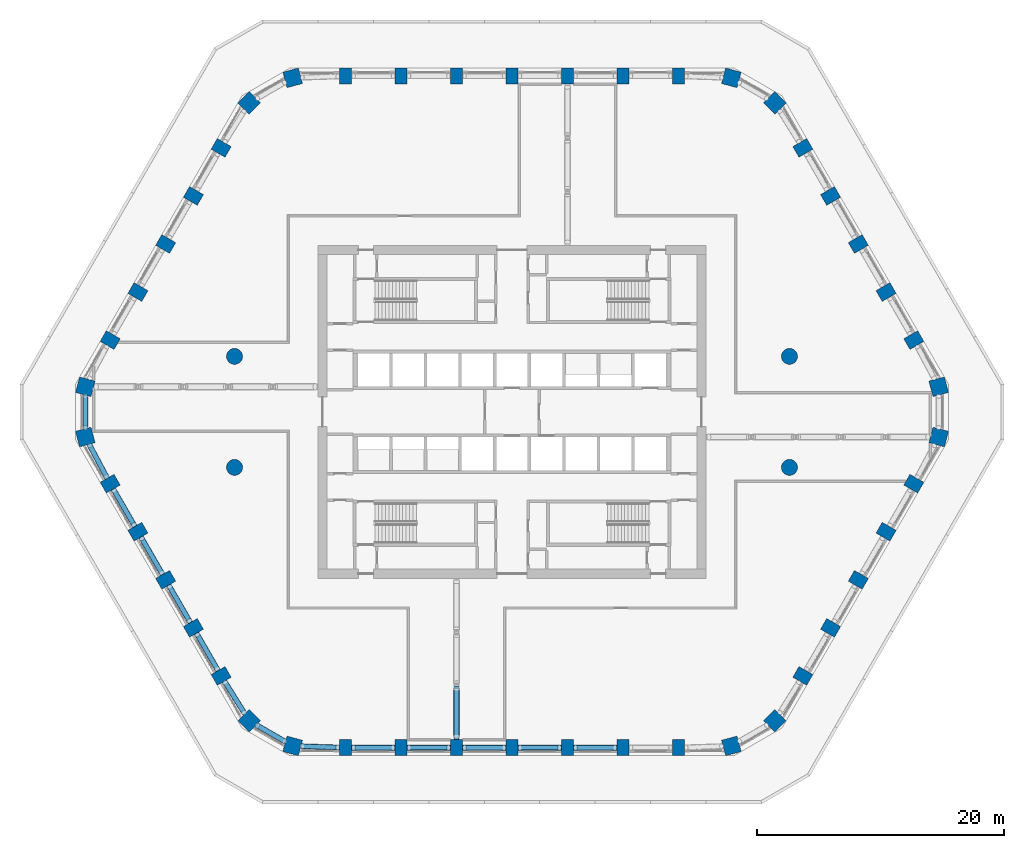
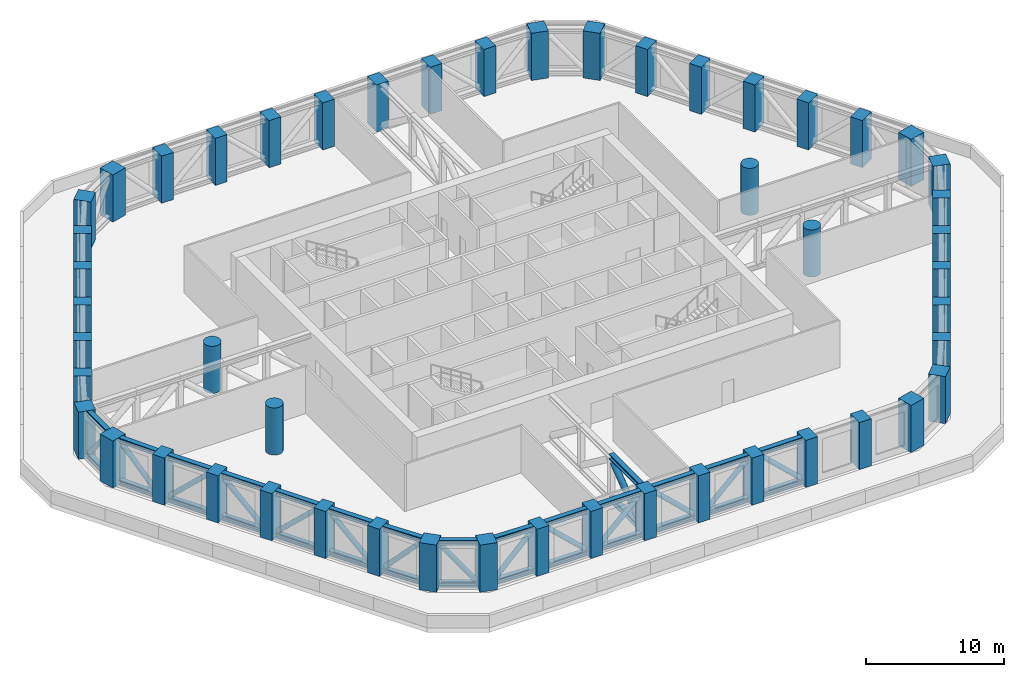
# One storey, part 1 of 18: 50 columns, 30 beams, 15 members.
"""IFC4 building model written with IfcOpenShell, lengths in metres."""

import ifcopenshell
import ifcopenshell.guid

model = None  # the IFC model being written
_history = None  # IfcOwnerHistory: only IFC2X3 demands one
_inside = {}  # id of a spatial element -> (the spatial element, [elements in it])
_under = {}  # id of a project, library or spatial element -> (it, [spatial elements below it])
_declared = {}  # id of a project -> (the project, [libraries it declares])
_typed = {}  # id of a type object -> (the type object, [elements of that type])
_made_of = {}  # id of a material, layer set ... -> (it, [elements and type objects made of it])


def new_model(schema):
    """Start an empty IFC model of exactly this schema.

    Asked for "IFC4X3", IfcOpenShell would pick the latest addendum, in which some entities
    have other attributes; the version numbers below select the first issue.
    IFC2X3 requires an IfcOwnerHistory on every rooted entity: one is made here for all.
    """
    global model, _history
    if schema == "IFC4X3":
        model = ifcopenshell.file(schema_version=(4, 3, 0, 0))
    else:
        model = ifcopenshell.file(schema=schema)
    _inside.clear()
    _under.clear()
    _declared.clear()
    _typed.clear()
    _made_of.clear()
    _history = None
    if model.schema == "IFC2X3":
        org = make("IfcOrganization", Name="unknown")
        user = make(
            "IfcPersonAndOrganization",
            ThePerson=make("IfcPerson", FamilyName="unknown"),
            TheOrganization=org,
        )
        app = make(
            "IfcApplication",
            ApplicationDeveloper=org,
            Version="unknown",
            ApplicationFullName="unknown",
            ApplicationIdentifier="unknown",
        )
        _history = make(
            "IfcOwnerHistory",
            OwningUser=user,
            OwningApplication=app,
            ChangeAction="ADDED",
            CreationDate=0,
        )
    return model


def make(cls, **values):
    """One entity of the class cls with the attributes given. An attribute that is None is left unset."""
    return model.create_entity(
        cls, **{name: value for name, value in values.items() if value is not None}
    )


def rooted(cls, **values):
    """An entity with a GlobalId (a new one), such as an element, a storey or a relation."""
    return make(cls, GlobalId=ifcopenshell.guid.new(), OwnerHistory=_history, **values)


def si_unit(unit_type, name, prefix=None):
    """IfcSIUnit, for example si_unit("LENGTHUNIT", "METRE", prefix="MILLI")."""
    return make("IfcSIUnit", UnitType=unit_type, Prefix=prefix, Name=name)


def assignment(units):
    """IfcUnitAssignment: the units of a project."""
    return None if units is None else make("IfcUnitAssignment", Units=units)


def point(xyz):
    """IfcCartesianPoint."""
    return None if xyz is None else make("IfcCartesianPoint", Coordinates=xyz)


def direction(xyz):
    """IfcDirection."""
    return None if xyz is None else make("IfcDirection", DirectionRatios=xyz)


def frame(location, z_axis=None, x_axis=None):
    """IfcAxis2Placement3D, a coordinate frame: its origin and axes. An axis left out is left unset."""
    return make(
        "IfcAxis2Placement3D",
        Location=point(location),
        Axis=direction(z_axis),
        RefDirection=direction(x_axis),
    )


def frame_2d(location, x_axis=None):
    """IfcAxis2Placement2D, a coordinate frame in the plane: its origin and x axis."""
    return make(
        "IfcAxis2Placement2D", Location=point(location), RefDirection=direction(x_axis)
    )


def origin():
    """The frame at (0, 0, 0) with its axes left unset."""
    return frame((0.0, 0.0, 0.0))


def origin_2d():
    """The frame at (0, 0) in the plane with its x axis left unset."""
    return frame_2d((0.0, 0.0))


def place(relative_to, where):
    """IfcLocalPlacement: puts the frame where relative to a parent placement (None: the world)."""
    return make(
        "IfcLocalPlacement", PlacementRelTo=relative_to, RelativePlacement=where
    )


def context(
    kind, dimensions, precision=None, world=None, true_north=None, identifier=None
):
    """IfcGeometricRepresentationContext, for example the 3D "Model" context."""
    return make(
        "IfcGeometricRepresentationContext",
        ContextIdentifier=identifier,
        ContextType=kind,
        CoordinateSpaceDimension=dimensions,
        Precision=precision,
        WorldCoordinateSystem=world,
        TrueNorth=true_north,
    )


def subcontext(parent, identifier, kind, view, scale=None):
    """IfcGeometricRepresentationSubContext, for example "Body" below "Model"."""
    return make(
        "IfcGeometricRepresentationSubContext",
        ContextIdentifier=identifier,
        ContextType=kind,
        ParentContext=parent,
        TargetScale=scale,
        TargetView=view,
    )


def project(units=None, contexts=None):
    """IfcProject with its units and contexts."""
    return rooted(
        "IfcProject",
        Name="project",
        RepresentationContexts=contexts,
        UnitsInContext=assignment(units),
    )


def spatial(cls, under=None, at=None, **own):
    """A site, building, storey or space (cls), placed at a placement, below another one or the project."""
    s = rooted(cls, ObjectPlacement=at, **own)
    if under is not None:
        _under.setdefault(under.id(), (under, []))[1].append(s)
    return s


def profile(cls, at=None, kind="AREA", **sizes):
    """A parametric profile (cls). Its sizes go by their IFC names, for example OverallWidth=200.0."""
    return make(cls, ProfileType=kind, Position=at, **sizes)


def rectangle(**sizes):
    """IfcRectangleProfileDef."""
    return profile("IfcRectangleProfileDef", **sizes)


def circle(**sizes):
    """IfcCircleProfileDef."""
    return profile("IfcCircleProfileDef", **sizes)


def hollow_circle(**sizes):
    """IfcCircleHollowProfileDef."""
    return profile("IfcCircleHollowProfileDef", **sizes)


def i_section(**sizes):
    """IfcIShapeProfileDef."""
    return profile("IfcIShapeProfileDef", **sizes)


def extrude(swept, where, along, depth):
    """IfcExtrudedAreaSolid: the profile swept, set in the frame where, extruded along a direction by depth."""
    return make(
        "IfcExtrudedAreaSolid",
        SweptArea=swept,
        Position=where,
        ExtrudedDirection=direction(along),
        Depth=depth,
    )


def shape(context_of_items, identifier, shape_type, items):
    """IfcShapeRepresentation: the items that make up one representation, for example the "Body"."""
    return make(
        "IfcShapeRepresentation",
        ContextOfItems=context_of_items,
        RepresentationIdentifier=identifier,
        RepresentationType=shape_type,
        Items=items,
    )


def material(Name=None, Category=None):
    """IfcMaterial."""
    return make("IfcMaterial", Name=Name, Category=Category)


def material_profile(
    of_material, cross_section, Name=None, Category=None, Priority=None
):
    """IfcMaterialProfile: a cross section and its material."""
    return make(
        "IfcMaterialProfile",
        Name=Name,
        Material=of_material,
        Profile=cross_section,
        Priority=Priority,
        Category=Category,
    )


def profile_set(profiles, Name=None, composite=None):
    """IfcMaterialProfileSet."""
    return make(
        "IfcMaterialProfileSet",
        Name=Name,
        MaterialProfiles=profiles,
        CompositeProfile=composite,
    )


def made_of(thing, what):
    """Note that an element or type object is made of a material, layer set ...; save() writes the relation."""
    if what is not None:
        _made_of.setdefault(what.id(), (what, []))[1].append(thing)
    return thing


def type_object(cls, material=None, **own):
    """A type object (cls), such as IfcWallType, which elements share."""
    return made_of(rooted(cls, **own), material)


def element(
    cls,
    number,
    at=None,
    inside=None,
    cuts=None,
    type_object=None,
    material=None,
    context=None,
    identifier="Body",
    shape_type=None,
    held_by="IfcProductDefinitionShape",
    body=None,
    shapes=None,
    **own,
):
    """One element of the class cls, such as IfcWall. Its Tag is "e" and its number.

    at: its placement. inside: the storey or other place that contains it. cuts: it is an
    opening in that element (IfcRelVoidsElement). A single representation is given by context,
    identifier, shape_type and body (its items); several are given by shapes. held_by: the class
    of the entity that holds the representations. save() writes the other relations.
    """
    e = rooted(cls, Tag="e%d" % number, ObjectPlacement=at, **own)
    if body is not None:
        shapes = [shape(context, identifier, shape_type, body)]
    if shapes is not None:
        e.Representation = make(held_by, Representations=shapes)
    if inside is not None:
        _inside.setdefault(inside.id(), (inside, []))[1].append(e)
    if cuts is not None:
        rooted(
            "IfcRelVoidsElement", RelatingBuildingElement=cuts, RelatedOpeningElement=e
        )
    if type_object is not None:
        _typed.setdefault(type_object.id(), (type_object, []))[1].append(e)
    return made_of(e, material)


def aggregate(whole, parts):
    """IfcRelAggregates: a whole, such as a stair, and the parts it consists of."""
    return rooted("IfcRelAggregates", RelatingObject=whole, RelatedObjects=parts)


def save(model, path):
    """Write the relations noted so far, then the file.

    IfcRelAggregates (storeys below a building ...), IfcRelContainedInSpatialStructure (elements
    in a storey), IfcRelDefinesByType, IfcRelAssociatesMaterial and IfcRelDeclares: one each for
    every whole, place, type object, material and project.
    """
    for whole, parts in _under.values():
        aggregate(whole, parts)
    for where, things in _inside.values():
        rooted(
            "IfcRelContainedInSpatialStructure",
            RelatedElements=things,
            RelatingStructure=where,
        )
    for kind, things in _typed.values():
        rooted("IfcRelDefinesByType", RelatedObjects=things, RelatingType=kind)
    for what, things in _made_of.values():
        rooted("IfcRelAssociatesMaterial", RelatedObjects=things, RelatingMaterial=what)
    for by, libraries in _declared.values():
        rooted("IfcRelDeclares", RelatingContext=by, RelatedDefinitions=libraries)
    model.write(path)


model = new_model("IFC4")

# Units and contexts
model_context = context("Model", 3, precision=1e-05, world=origin(), true_north=direction((0.0, 1.0)))
body_context = subcontext(model_context, "Body", "Model", "MODEL_VIEW")
ifc_project = project(units=[si_unit("LENGTHUNIT", "METRE"), si_unit("AREAUNIT", "SQUARE_METRE"), si_unit("VOLUMEUNIT", "CUBIC_METRE"), si_unit("PLANEANGLEUNIT", "RADIAN"), si_unit("MASSUNIT", "GRAM", prefix="KILO")], contexts=[model_context])

# Site, building, storey
site_placement = place(None, origin())
site = spatial("IfcSite", under=ifc_project, at=site_placement, CompositionType="ELEMENT")
building_placement = place(site_placement, origin())
building = spatial("IfcBuilding", under=site, at=building_placement, Name="Dhurran Vertical Campus", CompositionType="ELEMENT")
storey_placement = place(building_placement, frame((0.0, 0.0, 128.10009765625)))
storey = spatial("IfcBuildingStorey", under=building, at=storey_placement, Name="L31 Plant", CompositionType="ELEMENT", Elevation=128.10009765625)

# Columns
ifc_material_1 = material(Name="Concrete C60/75", Category="concrete")
ifc_material_profile_1 = material_profile(ifc_material_1, rectangle(XDim=1.0, YDim=1.300048828125, at=origin_2d()), Name="RC 1000x1300")
ifc_profile_set_1 = profile_set([ifc_material_profile_1], Name="Concrete C60/75")
column_type_1 = type_object("IfcColumnType", Name="FR COL RC 1000x1300 C60/75", PredefinedType="COLUMN", material=ifc_profile_set_1)
for number, where, z_axis, x_axis, name in (
    (1, (-13.5, -27.232666015625, 0.0), (0.0, 0.0, 1.0), (1.0, 0.0, 0.0), "Perimeter pier PP2.01"),
    (2, (-9.0, -27.232666015625, 0.0), (0.0, 0.0, 1.0), (1.0, 0.0, 0.0), "Perimeter pier PP2.02"),
    (3, (-4.5, -27.232666015625, 0.0), (0.0, 0.0, 1.0), (1.0, 0.0, 0.0), "Perimeter pier PP2.03"),
    (4, (0.0, -27.232666015625, 0.0), (0.0, 0.0, 1.0), (1.0, 0.0, 0.0), "Perimeter pier PP2.04"),
    (5, (4.5, -27.232666015625, 0.0), (0.0, 0.0, 1.0), (1.0, 0.0, 0.0), "Perimeter pier PP2.05"),
    (6, (9.0, -27.232666015625, 0.0), (0.0, 0.0, 1.0), (1.0, 0.0, 0.0), "Perimeter pier PP2.06"),
    (7, (13.5, -27.232666015625, 0.0), (0.0, 0.0, 1.0), (1.0, 0.0, 0.0), "Perimeter pier PP2.07"),
    (8, (23.584228515625, -21.41064453125, 0.0), (0.0, 0.0, 1.0), (0.5, 0.866025403784, 0.0), "Perimeter pier PP2.10"),
    (9, (25.834228515625, -17.513427734375, 0.0), (0.0, 0.0, 1.0), (0.5, 0.866025403784, 0.0), "Perimeter pier PP2.11"),
    (10, (28.084228515625, -13.6162109375, 0.0), (0.0, 0.0, 1.0), (0.5, 0.866025403784, 0.0), "Perimeter pier PP2.12"),
    (11, (30.334228515625, -9.71923828125, 0.0), (0.0, 0.0, 1.0), (0.5, 0.866025403784, 0.0), "Perimeter pier PP2.13"),
    (12, (32.584228515625, -5.822021484375, 0.0), (0.0, 0.0, 1.0), (0.5, 0.866025403784, 0.0), "Perimeter pier PP2.14"),
    (13, (32.584228515625, 5.822021484375, 0.0), (0.0, 0.0, 1.0), (-0.5, 0.866025403784, 0.0), "Perimeter pier PP2.17"),
    (14, (30.334228515625, 9.71923828125, 0.0), (0.0, 0.0, 1.0), (-0.5, 0.866025403784, 0.0), "Perimeter pier PP2.18"),
    (15, (28.084228515625, 13.6162109375, 0.0), (0.0, 0.0, 1.0), (-0.5, 0.866025403784, 0.0), "Perimeter pier PP2.19"),
    (16, (25.834228515625, 17.513427734375, 0.0), (0.0, 0.0, 1.0), (-0.5, 0.866025403784, 0.0), "Perimeter pier PP2.20"),
    (17, (23.584228515625, 21.41064453125, 0.0), (0.0, 0.0, 1.0), (-0.5, 0.866025403784, 0.0), "Perimeter pier PP2.21"),
    (18, (13.5, 27.232666015625, 0.0), (0.0, 0.0, 1.0), (-1.0, 0.0, 0.0), "Perimeter pier PP2.24"),
    (19, (9.0, 27.232666015625, 0.0), (0.0, 0.0, 1.0), (-1.0, 0.0, 0.0), "Perimeter pier PP2.25"),
    (20, (4.5, 27.232666015625, 0.0), (0.0, 0.0, 1.0), (-1.0, 0.0, 0.0), "Perimeter pier PP2.26"),
    (21, (0.0, 27.232666015625, 0.0), (0.0, 0.0, 1.0), (-1.0, 0.0, 0.0), "Perimeter pier PP2.27"),
    (22, (-4.5, 27.232666015625, 0.0), (0.0, 0.0, 1.0), (-1.0, 0.0, 0.0), "Perimeter pier PP2.28"),
    (23, (-9.0, 27.232666015625, 0.0), (0.0, 0.0, 1.0), (-1.0, 0.0, 0.0), "Perimeter pier PP2.29"),
    (24, (-13.5, 27.232666015625, 0.0), (0.0, 0.0, 1.0), (-1.0, 0.0, 0.0), "Perimeter pier PP2.30"),
    (25, (-23.584228515625, 21.41064453125, 0.0), (0.0, 0.0, 1.0), (-0.5, -0.866025403784, 0.0), "Perimeter pier PP2.33"),
    (26, (-25.834228515625, 17.513427734375, 0.0), (0.0, 0.0, 1.0), (-0.5, -0.866025403784, 0.0), "Perimeter pier PP2.34"),
    (27, (-28.084228515625, 13.6162109375, 0.0), (0.0, 0.0, 1.0), (-0.5, -0.866025403784, 0.0), "Perimeter pier PP2.35"),
    (28, (-30.334228515625, 9.71923828125, 0.0), (0.0, 0.0, 1.0), (-0.5, -0.866025403784, 0.0), "Perimeter pier PP2.36"),
    (29, (-32.584228515625, 5.822021484375, 0.0), (0.0, 0.0, 1.0), (-0.5, -0.866025403784, 0.0), "Perimeter pier PP2.37"),
    (30, (-32.584228515625, -5.822021484375, 0.0), (0.0, 0.0, 1.0), (0.5, -0.866025403784, 0.0), "Perimeter pier PP2.40"),
    (31, (-30.334228515625, -9.71923828125, 0.0), (0.0, 0.0, 1.0), (0.5, -0.866025403784, 0.0), "Perimeter pier PP2.41"),
    (32, (-28.084228515625, -13.6162109375, 0.0), (0.0, 0.0, 1.0), (0.5, -0.866025403784, 0.0), "Perimeter pier PP2.42"),
    (33, (-25.834228515625, -17.513427734375, 0.0), (0.0, 0.0, 1.0), (0.5, -0.866025403784, 0.0), "Perimeter pier PP2.43"),
    (34, (-23.584228515625, -21.41064453125, 0.0), (0.0, 0.0, 1.0), (0.5, -0.866025403784, 0.0), "Perimeter pier PP2.44"),
):
    element("IfcColumn", number, at=place(storey_placement, frame(where, z_axis=z_axis, x_axis=x_axis)), inside=storey, type_object=column_type_1, Name=name, PredefinedType="COLUMN", context=body_context, shape_type="SweptSolid", body=[
        extrude(rectangle(XDim=1.0, YDim=1.300048828125, at=origin_2d()), origin(), (0.0, 0.0, 1.0), 4.1748046875),
    ])
ifc_material_2 = material(Name="Concrete C60/75", Category="concrete")
ifc_material_profile_2 = material_profile(ifc_material_2, rectangle(XDim=1.300048828125, YDim=1.300048828125, at=origin_2d()), Name="RC 1300x1300")
ifc_profile_set_2 = profile_set([ifc_material_profile_2], Name="Concrete C60/75")
column_type_2 = type_object("IfcColumnType", Name="FR COL RC 1300x1300 C60/75", PredefinedType="COLUMN", material=ifc_profile_set_2)
for number, where, z_axis, x_axis, name in (
    (35, (-17.78662109375, -27.086669921875, 0.0), (0.0, 0.0, 1.0), (0.965925826289, -0.258819045103, 0.0), "Perimeter pier PP2.00"),
    (36, (17.78662109375, -27.086669921875, 0.0), (0.0, 0.0, 1.0), (0.965925826289, 0.258819045103, 0.0), "Perimeter pier PP2.08"),
    (37, (21.314208984375, -25.0498046875, 0.0), (0.0, 0.0, 1.0), (0.707106781187, 0.707106781187, 0.0), "Perimeter pier PP2.09"),
    (38, (34.60107421875, -2.03662109375, 0.0), (0.0, 0.0, 1.0), (0.258819045103, 0.965925826289, 0.0), "Perimeter pier PP2.15"),
    (39, (34.60107421875, 2.03662109375, 0.0), (0.0, 0.0, 1.0), (-0.258819045103, 0.965925826289, 0.0), "Perimeter pier PP2.16"),
    (40, (21.314208984375, 25.0498046875, 0.0), (0.0, 0.0, 1.0), (-0.707106781187, 0.707106781187, 0.0), "Perimeter pier PP2.22"),
    (41, (17.78662109375, 27.086669921875, 0.0), (0.0, 0.0, 1.0), (-0.965925826289, 0.258819045103, 0.0), "Perimeter pier PP2.23"),
    (42, (-17.78662109375, 27.086669921875, 0.0), (0.0, 0.0, 1.0), (-0.965925826289, -0.258819045103, 0.0), "Perimeter pier PP2.31"),
    (43, (-21.314208984375, 25.0498046875, 0.0), (0.0, 0.0, 1.0), (-0.707106781187, -0.707106781187, 0.0), "Perimeter pier PP2.32"),
    (44, (-34.60107421875, 2.03662109375, 0.0), (0.0, 0.0, 1.0), (-0.258819045103, -0.965925826289, 0.0), "Perimeter pier PP2.38"),
    (45, (-34.60107421875, -2.03662109375, 0.0), (0.0, 0.0, 1.0), (0.258819045103, -0.965925826289, 0.0), "Perimeter pier PP2.39"),
    (46, (-21.314208984375, -25.0498046875, 0.0), (0.0, 0.0, 1.0), (0.707106781187, -0.707106781187, 0.0), "Perimeter pier PP2.45"),
):
    element("IfcColumn", number, at=place(storey_placement, frame(where, z_axis=z_axis, x_axis=x_axis)), inside=storey, type_object=column_type_2, Name=name, PredefinedType="COLUMN", context=body_context, shape_type="SweptSolid", body=[
        extrude(rectangle(XDim=1.300048828125, YDim=1.300048828125, at=origin_2d()), origin(), (0.0, 0.0, 1.0), 4.1748046875),
    ])
ifc_material_3 = material(Name="Concrete C60/75", Category="concrete")
ifc_material_profile_3 = material_profile(ifc_material_3, circle(Radius=0.64990234375, at=origin_2d()), Name="RCC D1300")
ifc_profile_set_3 = profile_set([ifc_material_profile_3], Name="Concrete C60/75")
column_type_3 = type_object("IfcColumnType", Name="FR COL RCC D1300 C60/75", PredefinedType="COLUMN", material=ifc_profile_set_3)
for number, where, z_axis, x_axis, name in (
    (47, (-22.5, -4.5, 0.0), (0.0, 0.0, 1.0), (1.0, 0.0, 0.0), "Inner column IC2-D5"),
    (48, (-22.5, 4.5, 0.0), (0.0, 0.0, 1.0), (1.0, 0.0, 0.0), "Inner column IC2-D6"),
    (49, (22.5, -4.5, 0.0), (0.0, 0.0, 1.0), (1.0, 0.0, 0.0), "Inner column IC2-J5"),
    (50, (22.5, 4.5, 0.0), (0.0, 0.0, 1.0), (1.0, 0.0, 0.0), "Inner column IC2-J6"),
):
    element("IfcColumn", number, at=place(storey_placement, frame(where, z_axis=z_axis, x_axis=x_axis)), inside=storey, type_object=column_type_3, Name=name, PredefinedType="COLUMN", context=body_context, shape_type="SweptSolid", body=[
        extrude(circle(Radius=0.64990234375, at=origin_2d()), origin(), (0.0, 0.0, 1.0), 4.1748046875),
    ])

# Beams
ifc_material_4 = material(Name="Steel ASTM A992", Category="steel")
ifc_material_profile_4 = material_profile(ifc_material_4, i_section(OverallWidth=0.412109375, OverallDepth=0.43505859375, WebThickness=0.035888671875, FlangeThickness=0.057373046875, at=origin_2d()), Name="W360x463")
ifc_profile_set_4 = profile_set([ifc_material_profile_4], Name="Steel ASTM A992")
beam_type_1 = type_object("IfcBeamType", Name="FR BELT CHORD W360x463", PredefinedType="BEAM", material=ifc_profile_set_4)
for number, where, z_axis, x_axis, name in (
    (51, (-17.119873046875, -27.109375, 0.21728515625), (0.999418472466, -0.034098634791, 0.0), (0.034098634791, 0.999418472466, 0.0), "Belt truss chord L31"),
    (52, (-17.119873046875, -27.109375, 3.95751953125), (0.999418472466, -0.034098634791, 0.0), (0.034098634791, 0.999418472466, 0.0), "Belt truss chord L31"),
):
    element("IfcBeam", number, at=place(storey_placement, frame(where, z_axis=z_axis, x_axis=x_axis)), inside=storey, type_object=beam_type_1, Name=name, PredefinedType="BEAM", context=body_context, shape_type="SweptSolid", body=[
        extrude(i_section(OverallWidth=0.412109375, OverallDepth=0.43505859375, WebThickness=0.035888671875, FlangeThickness=0.057373046875, at=origin_2d()), origin(), (0.0, 0.0, 1.0), 3.12158203125),
    ])
for number, where, z_axis, x_axis, name in (
    (53, (-13.0, -27.232666015625, 0.21728515625), (1.0, 0.0, 0.0), (0.0, 1.0, 0.0), "Belt truss chord L31"),
    (54, (-13.0, -27.232666015625, 3.95751953125), (1.0, 0.0, 0.0), (0.0, 1.0, 0.0), "Belt truss chord L31"),
    (55, (-8.5, -27.232666015625, 0.21728515625), (1.0, 0.0, 0.0), (0.0, 1.0, 0.0), "Belt truss chord L31"),
    (56, (-8.5, -27.232666015625, 3.95751953125), (1.0, 0.0, 0.0), (0.0, 1.0, 0.0), "Belt truss chord L31"),
    (57, (-4.0, -27.232666015625, 0.21728515625), (1.0, 0.0, 0.0), (0.0, 1.0, 0.0), "Belt truss chord L31"),
    (58, (-4.0, -27.232666015625, 3.95751953125), (1.0, 0.0, 0.0), (0.0, 1.0, 0.0), "Belt truss chord L31"),
    (59, (0.5, -27.232666015625, 0.21728515625), (1.0, 0.0, 0.0), (0.0, 1.0, 0.0), "Belt truss chord L31"),
    (60, (0.5, -27.232666015625, 3.95751953125), (1.0, 0.0, 0.0), (0.0, 1.0, 0.0), "Belt truss chord L31"),
    (61, (5.0, -27.232666015625, 0.21728515625), (1.0, 0.0, 0.0), (0.0, 1.0, 0.0), "Belt truss chord L31"),
    (62, (5.0, -27.232666015625, 3.95751953125), (1.0, 0.0, 0.0), (0.0, 1.0, 0.0), "Belt truss chord L31"),
):
    element("IfcBeam", number, at=place(storey_placement, frame(where, z_axis=z_axis, x_axis=x_axis)), inside=storey, type_object=beam_type_1, Name=name, PredefinedType="BEAM", context=body_context, shape_type="SweptSolid", body=[
        extrude(i_section(OverallWidth=0.412109375, OverallDepth=0.43505859375, WebThickness=0.035888671875, FlangeThickness=0.057373046875, at=origin_2d()), origin(), (0.0, 0.0, 1.0), 3.5),
    ])
for number, where, z_axis, x_axis, name in (
    (63, (-34.60107421875, 1.36376953125, 0.21728515625), (0.0, -1.0, 0.0), (1.0, 0.0, 0.0), "Belt truss chord L31"),
    (64, (-34.60107421875, 1.36376953125, 3.95751953125), (0.0, -1.0, 0.0), (1.0, 0.0, 0.0), "Belt truss chord L31"),
):
    element("IfcBeam", number, at=place(storey_placement, frame(where, z_axis=z_axis, x_axis=x_axis)), inside=storey, type_object=beam_type_1, Name=name, PredefinedType="BEAM", context=body_context, shape_type="SweptSolid", body=[
        extrude(i_section(OverallWidth=0.412109375, OverallDepth=0.43505859375, WebThickness=0.035888671875, FlangeThickness=0.057373046875, at=origin_2d()), origin(), (0.0, 0.0, 1.0), 2.7275390625),
    ])
for number, where, z_axis, x_axis, name in (
    (65, (-34.287353515625, -2.62548828125, 0.21728515625), (0.470243179816, -0.882536884122, 0.0), (0.882536884122, 0.470243179816, 0.0), "Belt truss chord L31"),
    (66, (-34.287353515625, -2.62548828125, 3.95751953125), (0.470243179816, -0.882536884122, 0.0), (0.882536884122, 0.470243179816, 0.0), "Belt truss chord L31"),
):
    element("IfcBeam", number, at=place(storey_placement, frame(where, z_axis=z_axis, x_axis=x_axis)), inside=storey, type_object=beam_type_1, Name=name, PredefinedType="BEAM", context=body_context, shape_type="SweptSolid", body=[
        extrude(i_section(OverallWidth=0.412109375, OverallDepth=0.43505859375, WebThickness=0.035888671875, FlangeThickness=0.057373046875, at=origin_2d()), origin(), (0.0, 0.0, 1.0), 3.121826171875),
    ])
for number, where, z_axis, x_axis, name in (
    (67, (-32.334228515625, -6.255126953125, 0.21728515625), (0.500010275428, -0.866019471182, 0.0), (0.866019471182, 0.500010275428, 0.0), "Belt truss chord L31"),
    (68, (-32.334228515625, -6.255126953125, 3.95751953125), (0.500010275428, -0.866019471182, 0.0), (0.866019471182, 0.500010275428, 0.0), "Belt truss chord L31"),
):
    element("IfcBeam", number, at=place(storey_placement, frame(where, z_axis=z_axis, x_axis=x_axis)), inside=storey, type_object=beam_type_1, Name=name, PredefinedType="BEAM", context=body_context, shape_type="SweptSolid", body=[
        extrude(i_section(OverallWidth=0.412109375, OverallDepth=0.43505859375, WebThickness=0.035888671875, FlangeThickness=0.057373046875, at=origin_2d()), origin(), (0.0, 0.0, 1.0), 3.5),
    ])
for number, where, z_axis, x_axis, name in (
    (69, (-30.084228515625, -10.152099609375, 0.21728515625), (0.499980071345, -0.866036909293, 0.0), (0.866036909293, 0.499980071345, 0.0), "Belt truss chord L31"),
    (70, (-30.084228515625, -10.152099609375, 3.95751953125), (0.499980071345, -0.866036909293, 0.0), (0.866036909293, 0.499980071345, 0.0), "Belt truss chord L31"),
    (71, (-27.834228515625, -14.04931640625, 0.21728515625), (0.499980071345, -0.866036909293, 0.0), (0.866036909293, 0.499980071345, 0.0), "Belt truss chord L31"),
    (72, (-27.834228515625, -14.04931640625, 3.95751953125), (0.499980071345, -0.866036909293, 0.0), (0.866036909293, 0.499980071345, 0.0), "Belt truss chord L31"),
):
    element("IfcBeam", number, at=place(storey_placement, frame(where, z_axis=z_axis, x_axis=x_axis)), inside=storey, type_object=beam_type_1, Name=name, PredefinedType="BEAM", context=body_context, shape_type="SweptSolid", body=[
        extrude(i_section(OverallWidth=0.412109375, OverallDepth=0.43505859375, WebThickness=0.035888671875, FlangeThickness=0.057373046875, at=origin_2d()), origin(), (0.0, 0.0, 1.0), 3.500244140625),
    ])
for number, where, z_axis, x_axis, name in (
    (73, (-25.584228515625, -17.946533203125, 0.21728515625), (0.500010275428, -0.866019471182, 0.0), (0.866019471182, 0.500010275428, 0.0), "Belt truss chord L31"),
    (74, (-25.584228515625, -17.946533203125, 3.95751953125), (0.500010275428, -0.866019471182, 0.0), (0.866019471182, 0.500010275428, 0.0), "Belt truss chord L31"),
):
    element("IfcBeam", number, at=place(storey_placement, frame(where, z_axis=z_axis, x_axis=x_axis)), inside=storey, type_object=beam_type_1, Name=name, PredefinedType="BEAM", context=body_context, shape_type="SweptSolid", body=[
        extrude(i_section(OverallWidth=0.412109375, OverallDepth=0.43505859375, WebThickness=0.035888671875, FlangeThickness=0.057373046875, at=origin_2d()), origin(), (0.0, 0.0, 1.0), 3.5),
    ])
for number, where, z_axis, x_axis, name in (
    (75, (-23.3193359375, -21.835205078125, 0.21728515625), (0.529176156193, -0.848511989142, 0.0), (0.848511989142, 0.529176156193, 0.0), "Belt truss chord L31"),
    (76, (-23.3193359375, -21.835205078125, 3.95751953125), (0.529176156193, -0.848511989142, 0.0), (0.848511989142, 0.529176156193, 0.0), "Belt truss chord L31"),
):
    element("IfcBeam", number, at=place(storey_placement, frame(where, z_axis=z_axis, x_axis=x_axis)), inside=storey, type_object=beam_type_1, Name=name, PredefinedType="BEAM", context=body_context, shape_type="SweptSolid", body=[
        extrude(i_section(OverallWidth=0.412109375, OverallDepth=0.43505859375, WebThickness=0.035888671875, FlangeThickness=0.057373046875, at=origin_2d()), origin(), (0.0, 0.0, 1.0), 3.12158203125),
    ])
for number, where, z_axis, x_axis, name in (
    (77, (-20.7314453125, -25.386474609375, 0.21728515625), (0.866058885866, -0.499942002849, 0.0), (0.499942002849, 0.866058885866, 0.0), "Belt truss chord L31"),
    (78, (-20.7314453125, -25.386474609375, 3.95751953125), (0.866058885866, -0.499942002849, 0.0), (0.499942002849, 0.866058885866, 0.0), "Belt truss chord L31"),
):
    element("IfcBeam", number, at=place(storey_placement, frame(where, z_axis=z_axis, x_axis=x_axis)), inside=storey, type_object=beam_type_1, Name=name, PredefinedType="BEAM", context=body_context, shape_type="SweptSolid", body=[
        extrude(i_section(OverallWidth=0.412109375, OverallDepth=0.43505859375, WebThickness=0.035888671875, FlangeThickness=0.057373046875, at=origin_2d()), origin(), (0.0, 0.0, 1.0), 2.727294921875),
    ])

# Members
ifc_material_5 = material(Name="Steel S355J2H", Category="steel")
ifc_material_profile_5 = material_profile(ifc_material_5, hollow_circle(Radius=0.203125, WallThickness=0.01611328125, at=origin_2d()), Name="CHS406.4x16")
ifc_profile_set_5 = profile_set([ifc_material_profile_5], Name="Steel S355J2H")
member_type_1 = type_object("IfcMemberType", Name="FR BELT DIAGONAL CHS406.4x16", PredefinedType="BRACE", material=ifc_profile_set_5)
member_1_placement = place(storey_placement, frame((-16.988037109375, -27.11376953125, 0.574462890625), z_axis=(0.686266660037, -0.023403452765, 0.726973417478), x_axis=(0.034082750999, 0.99941901427, 0.0)))
element("IfcMember", 79, at=member_1_placement, inside=storey, type_object=member_type_1, Name="Belt truss diagonal L31", PredefinedType="BRACE", context=body_context, shape_type="SweptSolid", body=[
    extrude(hollow_circle(Radius=0.203125, WallThickness=0.01611328125, at=origin_2d()), origin(), (0.0, 0.0, 1.0), 4.162353515625),
])
for number, where, z_axis, x_axis, name in (
    (80, (-9.656494140625, -27.232666015625, 0.58251953125), (-0.727034775792, 0.0, 0.686600637044), (0.0, -1.0, 0.0), "Belt truss diagonal L31"),
    (81, (-8.343505859375, -27.232666015625, 0.58251953125), (0.727034775792, 0.0, 0.686600637044), (0.0, 1.0, 0.0), "Belt truss diagonal L31"),
    (82, (-0.656494140625, -27.232666015625, 0.58251953125), (-0.727034775792, 0.0, 0.686600637044), (0.0, -1.0, 0.0), "Belt truss diagonal L31"),
    (83, (0.656494140625, -27.232666015625, 0.58251953125), (0.727034775792, 0.0, 0.686600637044), (0.0, 1.0, 0.0), "Belt truss diagonal L31"),
    (84, (8.343505859375, -27.232666015625, 0.58251953125), (-0.727034775792, 0.0, 0.686600637044), (0.0, -1.0, 0.0), "Belt truss diagonal L31"),
):
    element("IfcMember", number, at=place(storey_placement, frame(where, z_axis=z_axis, x_axis=x_axis)), inside=storey, type_object=member_type_1, Name=name, PredefinedType="BRACE", context=body_context, shape_type="SweptSolid", body=[
        extrude(hollow_circle(Radius=0.203125, WallThickness=0.01611328125, at=origin_2d()), origin(), (0.0, 0.0, 1.0), 4.383544921875),
    ])
member_2_placement = place(storey_placement, frame((-34.60107421875, 1.257080078125, 0.564208984375), z_axis=(0.0, -0.636517184339, 0.771262519536), x_axis=(1.0, 0.0, 0.0)))
element("IfcMember", 85, at=member_2_placement, inside=storey, type_object=member_type_1, Name="Belt truss diagonal L31", PredefinedType="BRACE", context=body_context, shape_type="SweptSolid", body=[
    extrude(hollow_circle(Radius=0.203125, WallThickness=0.01611328125, at=origin_2d()), origin(), (0.0, 0.0, 1.0), 3.949951171875),
])
member_3_placement = place(storey_placement, frame((-32.88134765625, -5.264404296875, 0.574462890625), z_axis=(-0.322893902502, 0.606019945622, 0.726965854243), x_axis=(-0.882544394798, -0.470229083756, 0.0)))
element("IfcMember", 86, at=member_3_placement, inside=storey, type_object=member_type_1, Name="Belt truss diagonal L31", PredefinedType="BRACE", context=body_context, shape_type="SweptSolid", body=[
    extrude(hollow_circle(Radius=0.203125, WallThickness=0.01611328125, at=origin_2d()), origin(), (0.0, 0.0, 1.0), 4.162353515625),
])
member_4_placement = place(storey_placement, frame((-32.256103515625, -6.390625, 0.58251953125), z_axis=(0.363566940139, -0.629614622896, 0.686589037688), x_axis=(0.86599040064, 0.500060622324, 0.0)))
element("IfcMember", 87, at=member_4_placement, inside=storey, type_object=member_type_1, Name="Belt truss diagonal L31", PredefinedType="BRACE", context=body_context, shape_type="SweptSolid", body=[
    extrude(hollow_circle(Radius=0.203125, WallThickness=0.01611328125, at=origin_2d()), origin(), (0.0, 0.0, 1.0), 4.383544921875),
])
for number, where, z_axis, x_axis, name in (
    (88, (-28.412353515625, -13.0478515625, 0.58251953125), (-0.363554191618, 0.629648236892, 0.686564962357), (-0.866009553984, -0.500027451655, 0.0), "Belt truss diagonal L31"),
    (89, (-27.756103515625, -14.184814453125, 0.58251953125), (0.363554191618, -0.629648236892, 0.686564962357), (0.866009553984, 0.500027451655, 0.0), "Belt truss diagonal L31"),
):
    element("IfcMember", number, at=place(storey_placement, frame(where, z_axis=z_axis, x_axis=x_axis)), inside=storey, type_object=member_type_1, Name=name, PredefinedType="BRACE", context=body_context, shape_type="SweptSolid", body=[
        extrude(hollow_circle(Radius=0.203125, WallThickness=0.01611328125, at=origin_2d()), origin(), (0.0, 0.0, 1.0), 4.3837890625),
    ])
member_5_placement = place(storey_placement, frame((-23.912353515625, -20.842041015625, 0.58251953125), z_axis=(-0.363566940139, 0.629614622896, 0.686589037688), x_axis=(-0.86599040064, -0.500060622324, 0.0)))
element("IfcMember", 90, at=member_5_placement, inside=storey, type_object=member_type_1, Name="Belt truss diagonal L31", PredefinedType="BRACE", context=body_context, shape_type="SweptSolid", body=[
    extrude(hollow_circle(Radius=0.203125, WallThickness=0.01611328125, at=origin_2d()), origin(), (0.0, 0.0, 1.0), 4.383544921875),
])
member_6_placement = place(storey_placement, frame((-23.249755859375, -21.947021484375, 0.574462890625), z_axis=(0.363385996339, -0.58259075313, 0.727006624476), x_axis=(0.848477892865, 0.529230824234, 0.0)))
element("IfcMember", 91, at=member_6_placement, inside=storey, type_object=member_type_1, Name="Belt truss diagonal L31", PredefinedType="BRACE", context=body_context, shape_type="SweptSolid", body=[
    extrude(hollow_circle(Radius=0.203125, WallThickness=0.01611328125, at=origin_2d()), origin(), (0.0, 0.0, 1.0), 4.162109375),
])
member_7_placement = place(storey_placement, frame((-18.4619140625, -26.69677734375, 0.564208984375), z_axis=(-0.55122586899, 0.318262166341, 0.771271181124), x_axis=(-0.500013859761, -0.8660174017, 0.0)))
element("IfcMember", 92, at=member_7_placement, inside=storey, type_object=member_type_1, Name="Belt truss diagonal L31", PredefinedType="BRACE", context=body_context, shape_type="SweptSolid", body=[
    extrude(hollow_circle(Radius=0.203125, WallThickness=0.01611328125, at=origin_2d()), origin(), (0.0, 0.0, 1.0), 3.94970703125),
])

# Beams
ifc_material_6 = material(Name="Steel ASTM A992", Category="steel")
ifc_material_profile_6 = material_profile(ifc_material_6, i_section(OverallWidth=0.41796875, OverallDepth=0.455078125, WebThickness=0.042236328125, FlangeThickness=0.067626953125, at=origin_2d()), Name="W360x551")
ifc_profile_set_6 = profile_set([ifc_material_profile_6], Name="Steel ASTM A992")
beam_type_2 = type_object("IfcBeamType", Name="FR OUTRIGGER CHORD W360x551", PredefinedType="BEAM", material=ifc_profile_set_6)
for number, where, z_axis, x_axis, name in (
    (93, (-4.5, -22.2216796875, 0.227294921875), (0.0, -1.0, 0.0), (1.0, 0.0, 0.0), "Outrigger truss chord L31"),
    (94, (-4.5, -22.2216796875, 3.947509765625), (0.0, -1.0, 0.0), (1.0, 0.0, 0.0), "Outrigger truss chord L31"),
):
    element("IfcBeam", number, at=place(storey_placement, frame(where, z_axis=z_axis, x_axis=x_axis)), inside=storey, type_object=beam_type_2, Name=name, PredefinedType="BEAM", context=body_context, shape_type="SweptSolid", body=[
        extrude(i_section(OverallWidth=0.41796875, OverallDepth=0.455078125, WebThickness=0.042236328125, FlangeThickness=0.067626953125, at=origin_2d()), origin(), (0.0, 0.0, 1.0), 4.361083984375),
    ])

# Member
ifc_material_7 = material(Name="Steel S355J2H", Category="steel")
ifc_material_profile_7 = material_profile(ifc_material_7, hollow_circle(Radius=0.25390625, WallThickness=0.01611328125, at=origin_2d()), Name="CHS508x16")
ifc_profile_set_7 = profile_set([ifc_material_profile_7], Name="Steel S355J2H")
member_type_2 = type_object("IfcMemberType", Name="FR OUTRIGGER DIAGONAL CHS508x16", PredefinedType="BRACE", material=ifc_profile_set_7)
member_8_placement = place(storey_placement, frame((-4.5, -26.31103515625, 0.658203125), z_axis=(0.0, 0.80048503589, 0.599352740309), x_axis=(-1.0, 0.0, 0.0)))
element("IfcMember", 95, at=member_8_placement, inside=storey, type_object=member_type_2, Name="Outrigger truss diagonal L31", PredefinedType="BRACE", context=body_context, shape_type="SweptSolid", body=[
    extrude(hollow_circle(Radius=0.25390625, WallThickness=0.01611328125, at=origin_2d()), origin(), (0.0, 0.0, 1.0), 4.76904296875),
])

save(model, "model.ifc")
